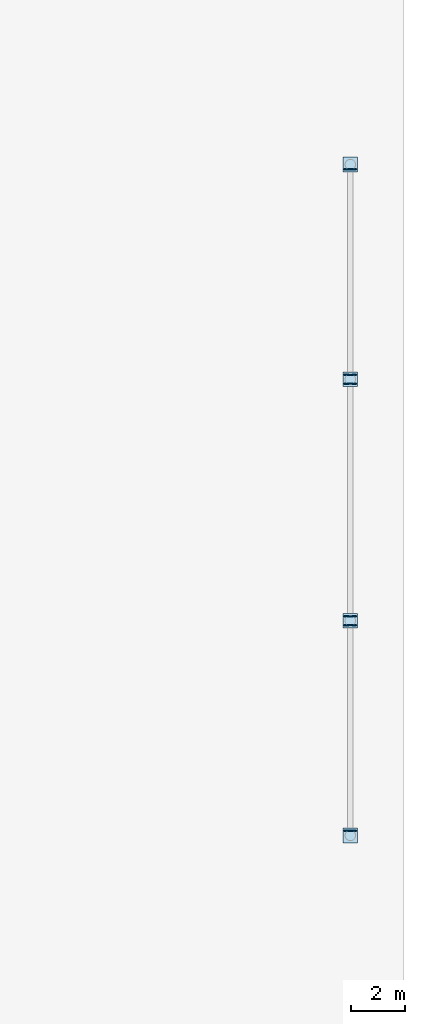
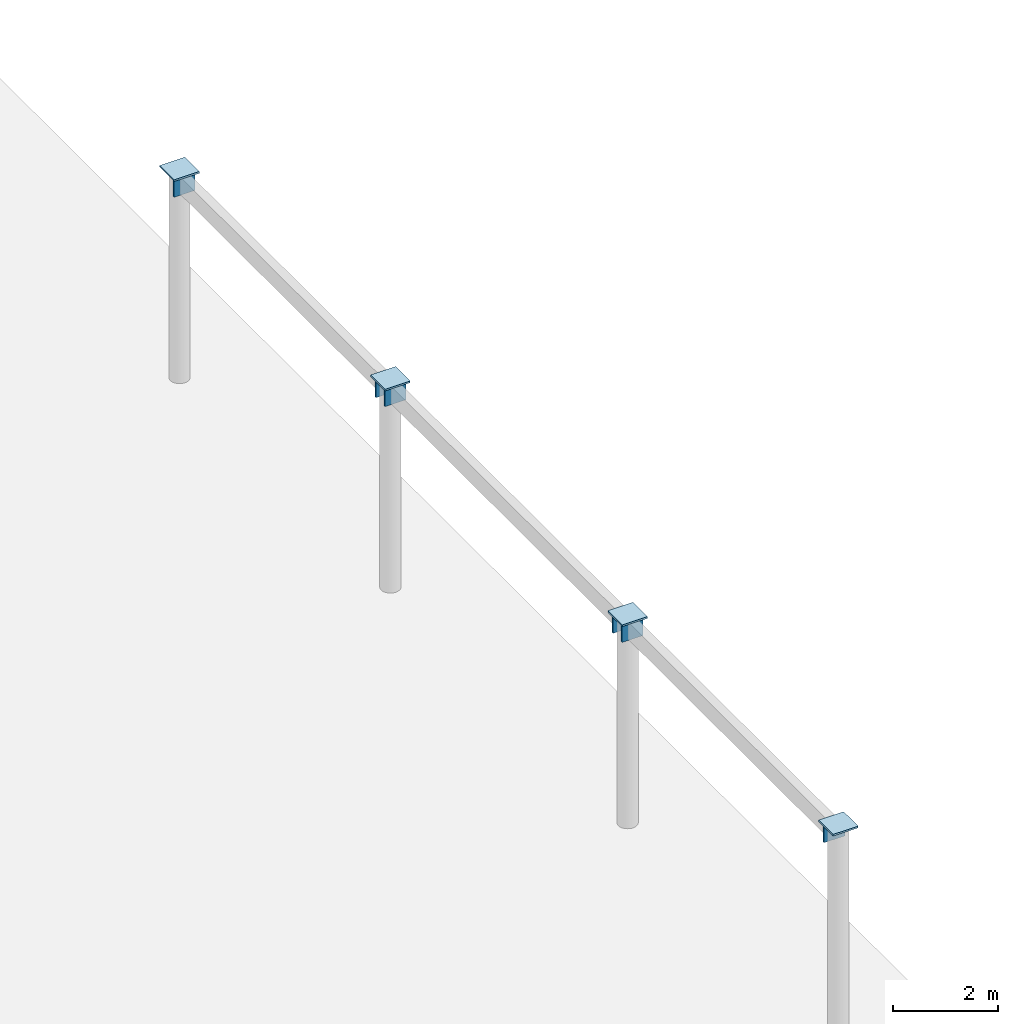
# One storey, part 28 of 46: 10 plates.
"""IFC4 building model written with IfcOpenShell, lengths in metres."""

from ifc_helpers import new_model, si_unit, direction, frame, origin, origin_2d, place, context, subcontext, project, spatial, rectangle, extrude, source, transform, mapped, material, layer, layer_set, type_object, element, save


model = new_model("IFC4")

# Units and contexts
model_context = context("Model", 3, precision=1e-05, world=origin(), true_north=direction((0.0, 1.0)))
body_context = subcontext(model_context, "Body", "Model", "MODEL_VIEW")
ifc_project = project(units=[si_unit("LENGTHUNIT", "METRE"), si_unit("AREAUNIT", "SQUARE_METRE"), si_unit("VOLUMEUNIT", "CUBIC_METRE"), si_unit("PLANEANGLEUNIT", "RADIAN"), si_unit("MASSUNIT", "GRAM", prefix="KILO")], contexts=[model_context])

# Site, building, storey
site_placement = place(None, origin())
site = spatial("IfcSite", under=ifc_project, at=site_placement, CompositionType="ELEMENT")
building_placement = place(site_placement, origin())
building = spatial("IfcBuilding", under=site, at=building_placement, Name="Linh Dai School and Residence Tower", CompositionType="ELEMENT")
storey_placement = place(building_placement, origin())
storey = spatial("IfcBuildingStorey", under=building, at=storey_placement, Name="L00", CompositionType="ELEMENT", Elevation=0.0)

# Plates
ifc_material = material(Name="Structural Steel S355JR", Category="steel")
ifc_layer = layer(ifc_material, 0.0400390625)
ifc_layer_set = layer_set([ifc_layer], Name="Structural Steel S355JR")
plate_type = type_object("IfcPlateType", Name="PLT-GP1", PredefinedType="USERDEFINED", material=ifc_layer_set)
shared_shape_1 = source(origin(), body_context, "Body", "SweptSolid", [
    extrude(rectangle(XDim=0.4599609375, YDim=0.0400390625, at=origin_2d()), origin(), (0.0, 0.0, 1.0), 0.4599609375),
])
for number, where, z_axis, x_axis, name in (
    (1, (82.0, 14.673095703125, 4.3701171875), (0.0, 0.0, 1.0), (1.0, 0.0, 0.0), "L00 Canopy Beam End Plate 1A"),
    (2, (82.0, 22.326904296875, 4.3701171875), (0.0, 0.0, 1.0), (1.0, 0.0, 0.0), "L00 Canopy Beam End Plate 1B"),
    (3, (82.0, 22.673095703125, 4.3701171875), (0.0, 0.0, 1.0), (1.0, 0.0, 0.0), "L00 Canopy Beam End Plate 2A"),
    (4, (82.0, 31.326904296875, 4.3701171875), (0.0, 0.0, 1.0), (1.0, 0.0, 0.0), "L00 Canopy Beam End Plate 2B"),
    (5, (82.0, 31.673095703125, 4.3701171875), (0.0, 0.0, 1.0), (1.0, 0.0, 0.0), "L00 Canopy Beam End Plate 3A"),
    (6, (82.0, 39.326904296875, 4.3701171875), (0.0, 0.0, 1.0), (1.0, 0.0, 0.0), "L00 Canopy Beam End Plate 3B"),
):
    element("IfcPlate", number, at=place(storey_placement, frame(where, z_axis=z_axis, x_axis=x_axis)), inside=storey, type_object=plate_type, Name=name, ObjectType="GUSSET PLATE", PredefinedType="USERDEFINED", context=body_context, shape_type="MappedRepresentation", body=[
        mapped(shared_shape_1, transform((0.0, 0.0, 0.0), x_axis=(1.0, 0.0, 0.0), y_axis=(0.0, 1.0, 0.0), z_axis=(0.0, 0.0, 1.0), scale=1.0)),
    ])
shared_shape_2 = source(origin(), body_context, "Body", "SweptSolid", [
    extrude(rectangle(XDim=0.550048828125, YDim=0.550048828125, at=origin_2d()), origin(), (0.0, 0.0, 1.0), 0.0400390625),
])
for number, where, z_axis, x_axis, name in (
    (7, (82.0, 14.5, 4.800048828125), (0.0, 0.0, 1.0), (1.0, 0.0, 0.0), "L00 EC1 Canopy Column Cap Plate"),
    (8, (82.0, 22.5, 4.800048828125), (0.0, 0.0, 1.0), (1.0, 0.0, 0.0), "L00 EC2 Canopy Column Cap Plate"),
    (9, (82.0, 31.5, 4.800048828125), (0.0, 0.0, 1.0), (1.0, 0.0, 0.0), "L00 EC3 Canopy Column Cap Plate"),
    (10, (82.0, 39.5, 4.800048828125), (0.0, 0.0, 1.0), (1.0, 0.0, 0.0), "L00 EC4 Canopy Column Cap Plate"),
):
    element("IfcPlate", number, at=place(storey_placement, frame(where, z_axis=z_axis, x_axis=x_axis)), inside=storey, type_object=plate_type, Name=name, ObjectType="GUSSET PLATE", PredefinedType="USERDEFINED", context=body_context, shape_type="MappedRepresentation", body=[
        mapped(shared_shape_2, transform((0.0, 0.0, 0.0), x_axis=(1.0, 0.0, 0.0), y_axis=(0.0, 1.0, 0.0), z_axis=(0.0, 0.0, 1.0), scale=1.0)),
    ])

save(model, "model.ifc")
